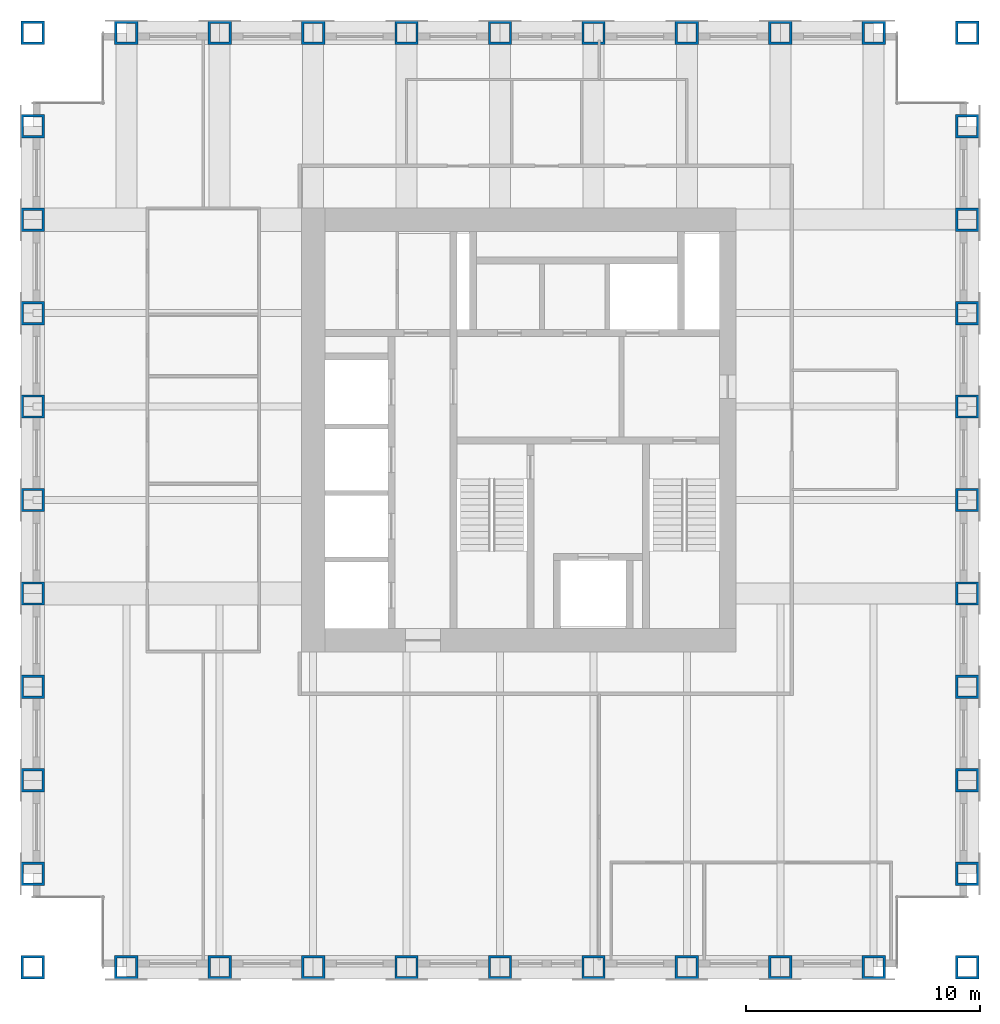
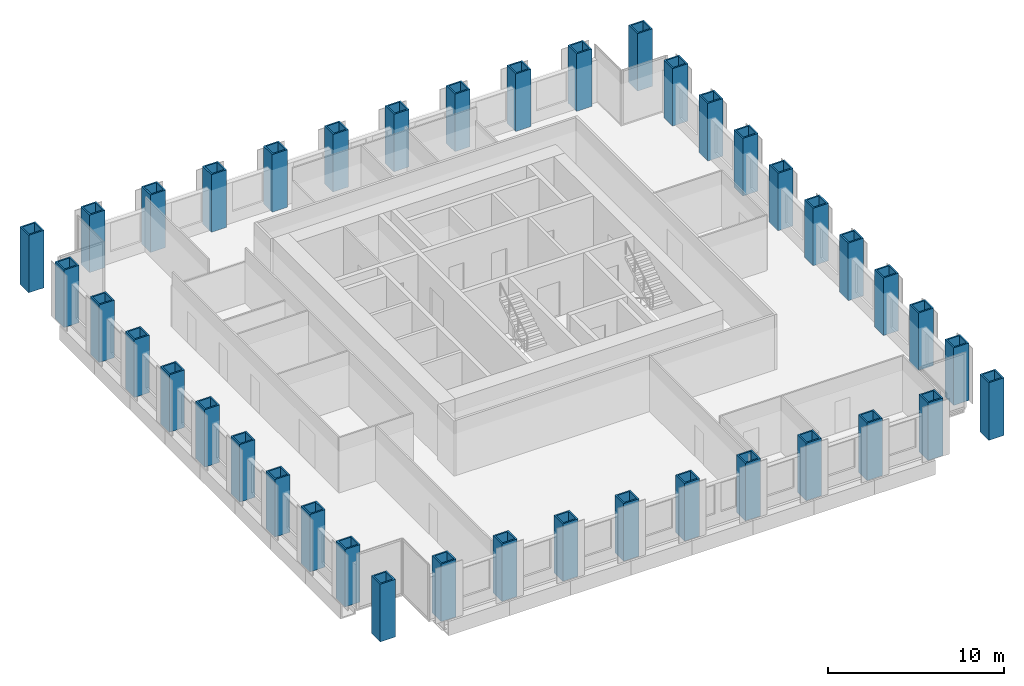
# One storey, part 1 of 11: 40 columns.
"""IFC4 building model written with IfcOpenShell, lengths in metres."""

from ifc_helpers import new_model, si_unit, direction, frame, origin, origin_2d, place, context, subcontext, project, spatial, hollow_rectangle, extrude, material, material_profile, profile_set, type_object, element, save


model = new_model("IFC4")

# Units and contexts
model_context = context("Model", 3, precision=1e-05, world=origin(), true_north=direction((0.0, 1.0)))
body_context = subcontext(model_context, "Body", "Model", "MODEL_VIEW")
ifc_project = project(units=[si_unit("LENGTHUNIT", "METRE"), si_unit("AREAUNIT", "SQUARE_METRE"), si_unit("VOLUMEUNIT", "CUBIC_METRE"), si_unit("PLANEANGLEUNIT", "RADIAN"), si_unit("MASSUNIT", "GRAM", prefix="KILO")], contexts=[model_context])

# Site, building, storey
site_placement = place(None, origin())
site = spatial("IfcSite", under=ifc_project, at=site_placement, CompositionType="ELEMENT")
building_placement = place(site_placement, origin())
building = spatial("IfcBuilding", under=site, at=building_placement, Name="Rimbunsela Tower", CompositionType="ELEMENT")
storey_placement = place(building_placement, frame((0.0, 0.0, 278.199951171875)))
storey = spatial("IfcBuildingStorey", under=building, at=storey_placement, Name="L67", CompositionType="ELEMENT", Elevation=278.199951171875)

# Columns
ifc_material = material(Name="Steel BJ 55 (fy 410 MPa)", Category="steel")
ifc_material_profile = material_profile(ifc_material, hollow_rectangle(XDim=1.0, YDim=1.0, WallThickness=0.10009765625, at=origin_2d()), Name="BOX 1000x1000x100")
ifc_profile_set = profile_set([ifc_material_profile], Name="Steel BJ 55 (fy 410 MPa)")
column_type = type_object("IfcColumnType", Name="Column BOX 1000x1000x100", PredefinedType="COLUMN", material=ifc_profile_set)
for number, where, z_axis, x_axis, name in (
    (1, (6.0, 4.0, 0.0), (0.0, 0.0, 1.0), (1.0, 0.0, 0.0), "Column C1 4/C L67"),
    (2, (6.0, 8.0, 0.0), (0.0, 0.0, 1.0), (1.0, 0.0, 0.0), "Column C1 4/D L67"),
    (3, (6.0, 12.0, 0.0), (0.0, 0.0, 1.0), (1.0, 0.0, 0.0), "Column C1 4/E L67"),
    (4, (6.0, 16.0, 0.0), (0.0, 0.0, 1.0), (1.0, 0.0, 0.0), "Column C1 4/F L67"),
    (5, (6.0, 20.0, 0.0), (0.0, 0.0, 1.0), (1.0, 0.0, 0.0), "Column C1 4/G L67"),
    (6, (6.0, 24.0, 0.0), (0.0, 0.0, 1.0), (1.0, 0.0, 0.0), "Column C1 4/H L67"),
    (7, (6.0, 28.0, 0.0), (0.0, 0.0, 1.0), (1.0, 0.0, 0.0), "Column C1 4/J L67"),
    (8, (6.0, 32.0, 0.0), (0.0, 0.0, 1.0), (1.0, 0.0, 0.0), "Column C1 4/K L67"),
    (9, (6.0, 36.0, 0.0), (0.0, 0.0, 1.0), (1.0, 0.0, 0.0), "Column C1 4/L L67"),
    (10, (6.0, 40.0, 0.0), (0.0, 0.0, 1.0), (1.0, 0.0, 0.0), "Column C1 4/M L67"),
    (11, (6.0, 44.0, 0.0), (0.0, 0.0, 1.0), (1.0, 0.0, 0.0), "Column C1 4/N L67"),
    (12, (10.0, 4.0, 0.0), (0.0, 0.0, 1.0), (1.0, 0.0, 0.0), "Column C1 5/C L67"),
    (13, (10.0, 44.0, 0.0), (0.0, 0.0, 1.0), (1.0, 0.0, 0.0), "Column C1 5/N L67"),
    (14, (14.0, 4.0, 0.0), (0.0, 0.0, 1.0), (1.0, 0.0, 0.0), "Column C1 6/C L67"),
    (15, (14.0, 44.0, 0.0), (0.0, 0.0, 1.0), (1.0, 0.0, 0.0), "Column C1 6/N L67"),
    (16, (18.0, 4.0, 0.0), (0.0, 0.0, 1.0), (1.0, 0.0, 0.0), "Column C1 7/C L67"),
    (17, (18.0, 44.0, 0.0), (0.0, 0.0, 1.0), (1.0, 0.0, 0.0), "Column C1 7/N L67"),
    (18, (22.0, 4.0, 0.0), (0.0, 0.0, 1.0), (1.0, 0.0, 0.0), "Column C1 8/C L67"),
    (19, (22.0, 44.0, 0.0), (0.0, 0.0, 1.0), (1.0, 0.0, 0.0), "Column C1 8/N L67"),
    (20, (26.0, 4.0, 0.0), (0.0, 0.0, 1.0), (1.0, 0.0, 0.0), "Column C1 9/C L67"),
    (21, (26.0, 44.0, 0.0), (0.0, 0.0, 1.0), (1.0, 0.0, 0.0), "Column C1 9/N L67"),
    (22, (30.0, 4.0, 0.0), (0.0, 0.0, 1.0), (1.0, 0.0, 0.0), "Column C1 10/C L67"),
    (23, (30.0, 44.0, 0.0), (0.0, 0.0, 1.0), (1.0, 0.0, 0.0), "Column C1 10/N L67"),
    (24, (34.0, 4.0, 0.0), (0.0, 0.0, 1.0), (1.0, 0.0, 0.0), "Column C1 11/C L67"),
    (25, (34.0, 44.0, 0.0), (0.0, 0.0, 1.0), (1.0, 0.0, 0.0), "Column C1 11/N L67"),
    (26, (38.0, 4.0, 0.0), (0.0, 0.0, 1.0), (1.0, 0.0, 0.0), "Column C1 12/C L67"),
    (27, (38.0, 44.0, 0.0), (0.0, 0.0, 1.0), (1.0, 0.0, 0.0), "Column C1 12/N L67"),
    (28, (42.0, 4.0, 0.0), (0.0, 0.0, 1.0), (1.0, 0.0, 0.0), "Column C1 13/C L67"),
    (29, (42.0, 44.0, 0.0), (0.0, 0.0, 1.0), (1.0, 0.0, 0.0), "Column C1 13/N L67"),
    (30, (46.0, 4.0, 0.0), (0.0, 0.0, 1.0), (1.0, 0.0, 0.0), "Column C1 14/C L67"),
    (31, (46.0, 8.0, 0.0), (0.0, 0.0, 1.0), (1.0, 0.0, 0.0), "Column C1 14/D L67"),
    (32, (46.0, 12.0, 0.0), (0.0, 0.0, 1.0), (1.0, 0.0, 0.0), "Column C1 14/E L67"),
    (33, (46.0, 16.0, 0.0), (0.0, 0.0, 1.0), (1.0, 0.0, 0.0), "Column C1 14/F L67"),
    (34, (46.0, 20.0, 0.0), (0.0, 0.0, 1.0), (1.0, 0.0, 0.0), "Column C1 14/G L67"),
    (35, (46.0, 24.0, 0.0), (0.0, 0.0, 1.0), (1.0, 0.0, 0.0), "Column C1 14/H L67"),
    (36, (46.0, 28.0, 0.0), (0.0, 0.0, 1.0), (1.0, 0.0, 0.0), "Column C1 14/J L67"),
    (37, (46.0, 32.0, 0.0), (0.0, 0.0, 1.0), (1.0, 0.0, 0.0), "Column C1 14/K L67"),
    (38, (46.0, 36.0, 0.0), (0.0, 0.0, 1.0), (1.0, 0.0, 0.0), "Column C1 14/L L67"),
    (39, (46.0, 40.0, 0.0), (0.0, 0.0, 1.0), (1.0, 0.0, 0.0), "Column C1 14/M L67"),
    (40, (46.0, 44.0, 0.0), (0.0, 0.0, 1.0), (1.0, 0.0, 0.0), "Column C1 14/N L67"),
):
    element("IfcColumn", number, at=place(storey_placement, frame(where, z_axis=z_axis, x_axis=x_axis)), inside=storey, type_object=column_type, Name=name, PredefinedType="COLUMN", context=body_context, shape_type="SweptSolid", body=[
        extrude(hollow_rectangle(XDim=1.0, YDim=1.0, WallThickness=0.10009765625, at=origin_2d()), origin(), (0.0, 0.0, 1.0), 4.0),
    ])

save(model, "model.ifc")
